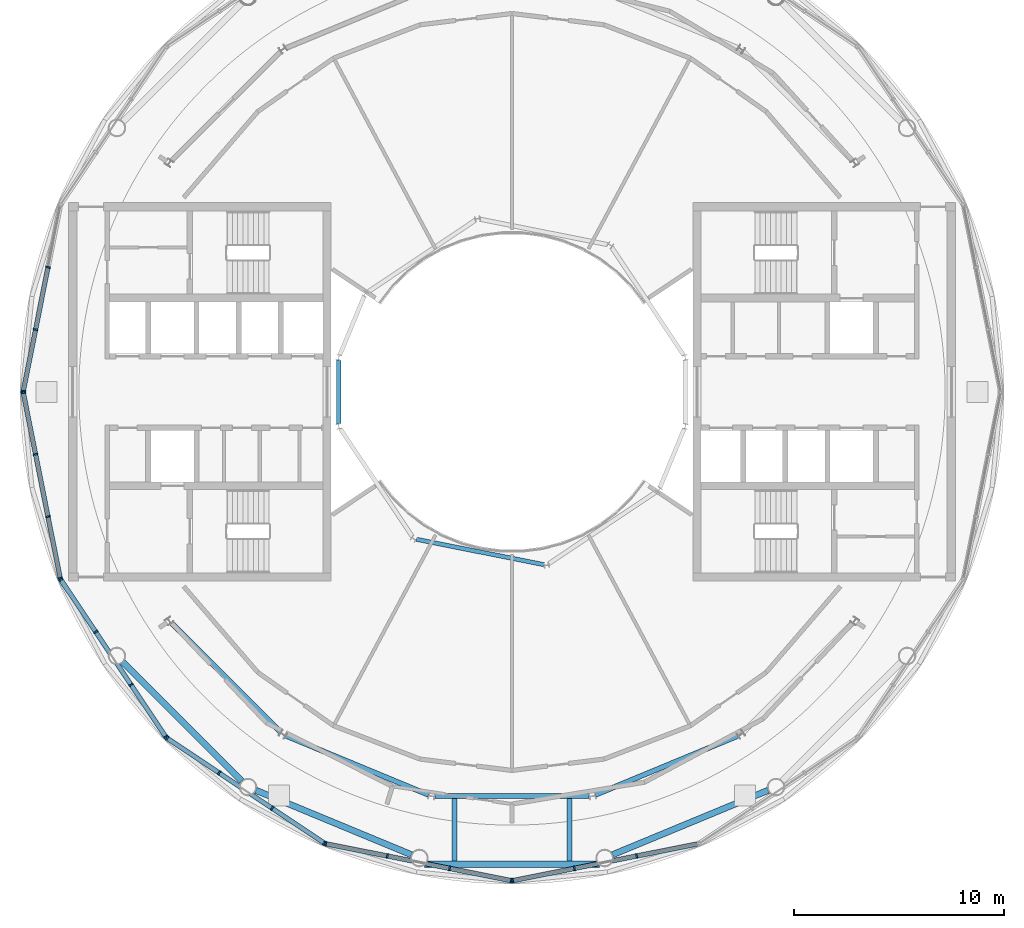
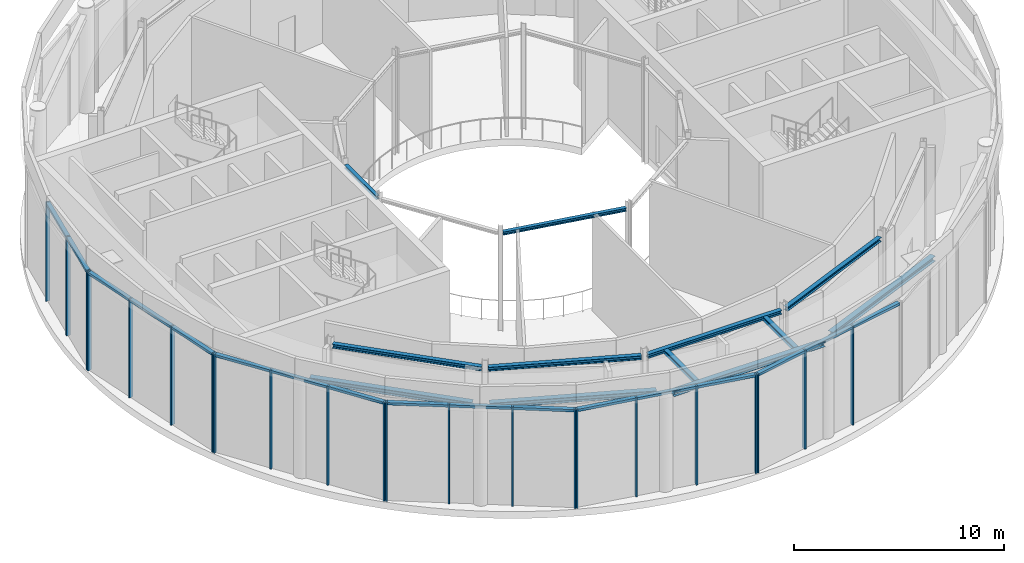
# One storey, part 5 of 20: 39 members, 12 beams, 6 elements without a shape of their own.
"""IFC4 building model written with IfcOpenShell, lengths in metres."""

from ifc_helpers import new_model, si_unit, direction, frame, origin, origin_2d, place, context, subcontext, project, spatial, rectangle, i_section, extrude, material, layer, layer_set, material_profile, profile_set, type_object, element, aggregate, save


model = new_model("IFC4")

# Units and contexts
model_context = context("Model", 3, precision=1e-05, world=origin(), true_north=direction((0.0, 1.0)))
body_context = subcontext(model_context, "Body", "Model", "MODEL_VIEW")
ifc_project = project(units=[si_unit("LENGTHUNIT", "METRE"), si_unit("AREAUNIT", "SQUARE_METRE"), si_unit("VOLUMEUNIT", "CUBIC_METRE"), si_unit("PLANEANGLEUNIT", "RADIAN"), si_unit("MASSUNIT", "GRAM", prefix="KILO")], contexts=[model_context])

# Site, building, storey
site_placement = place(None, origin())
site = spatial("IfcSite", under=ifc_project, at=site_placement, CompositionType="ELEMENT")
building_placement = place(site_placement, origin())
building = spatial("IfcBuilding", under=site, at=building_placement, Name="Maasbend Ring Residences", CompositionType="ELEMENT")
storey_placement = place(building_placement, frame((0.0, 0.0, 255.39990234375)))
storey = spatial("IfcBuildingStorey", under=building, at=storey_placement, Name="L74", CompositionType="ELEMENT", Elevation=255.39990234375)

# Curtain wall, members
ifc_material_1 = material(Name="Aluminium and clear glass", Category="aluminium")
ifc_layer = layer(ifc_material_1, 0.219970703125)
ifc_layer_set = layer_set([ifc_layer], Name="CW-OB")
curtain_wall_type = type_object("IfcCurtainWallType", Name="CW-OB", PredefinedType="NOTDEFINED", material=ifc_layer_set)
curtain_wall_1_placement = place(storey_placement, origin())
curtain_wall_1 = element("IfcCurtainWall", 1, at=curtain_wall_1_placement, inside=storey, type_object=curtain_wall_type, Name="Observation deck curtain wall 08", PredefinedType="NOTDEFINED")
ifc_material_2 = material(Name="Aluminium 6063-T6", Category="aluminium")
ifc_material_profile_1 = material_profile(ifc_material_2, rectangle(XDim=0.219970703125, YDim=0.080078125, at=origin_2d()), Name="AL 220x80")
ifc_profile_set_1 = profile_set([ifc_material_profile_1], Name="Aluminium 6063-T6")
member_type_1 = type_object("IfcMemberType", Name="CWM-OB", PredefinedType="MULLION", material=ifc_profile_set_1)
member_1_placement = place(storey_placement, frame((-22.070068359375, 5.931640625, 0.0), z_axis=(0.0, 0.0, 1.0), x_axis=(0.980785280403, -0.195090322016, 0.0)))
member_1 = element("IfcMember", 2, at=member_1_placement, type_object=member_type_1, Name="Mullion observation deck", PredefinedType="MULLION", context=body_context, shape_type="SweptSolid", body=[
    extrude(rectangle(XDim=0.219970703125, YDim=0.080078125, at=origin_2d()), origin(), (0.0, 0.0, 1.0), 5.75),
])
member_2_placement = place(storey_placement, frame((-22.66015625, 2.9658203125, 0.0), z_axis=(0.0, 0.0, 1.0), x_axis=(0.980785280403, -0.195090322016, 0.0)))
member_2 = element("IfcMember", 3, at=member_2_placement, type_object=member_type_1, Name="Mullion observation deck", PredefinedType="MULLION", context=body_context, shape_type="SweptSolid", body=[
    extrude(rectangle(XDim=0.219970703125, YDim=0.080078125, at=origin_2d()), origin(), (0.0, 0.0, 1.0), 5.75),
])
member_3_placement = place(storey_placement, frame((-23.2421875, 0.039306640625, 0.0), z_axis=(0.0, 0.0, 1.0), x_axis=(0.980785280403, -0.195090322016, 0.0)))
member_3 = element("IfcMember", 4, at=member_3_placement, type_object=member_type_1, Name="Mullion observation deck", PredefinedType="MULLION", context=body_context, shape_type="SweptSolid", body=[
    extrude(rectangle(XDim=0.219970703125, YDim=0.080078125, at=origin_2d()), origin(), (0.0, 0.0, 1.0), 5.75),
])

curtain_wall_2_placement = place(storey_placement, origin())
curtain_wall_2 = element("IfcCurtainWall", 5, at=curtain_wall_2_placement, inside=storey, type_object=curtain_wall_type, Name="Observation deck curtain wall 09", PredefinedType="NOTDEFINED")
member_4_placement = place(storey_placement, frame((-23.2421875, -0.039306640625, 0.0), z_axis=(0.0, 0.0, 1.0), x_axis=(0.980785280403, 0.195090322016, 0.0)))
member_4 = element("IfcMember", 6, at=member_4_placement, type_object=member_type_1, Name="Mullion observation deck", PredefinedType="MULLION", context=body_context, shape_type="SweptSolid", body=[
    extrude(rectangle(XDim=0.219970703125, YDim=0.080078125, at=origin_2d()), origin(), (0.0, 0.0, 1.0), 5.75),
])
member_5_placement = place(storey_placement, frame((-22.66015625, -2.9658203125, 0.0), z_axis=(0.0, 0.0, 1.0), x_axis=(0.980785280403, 0.195090322016, 0.0)))
member_5 = element("IfcMember", 7, at=member_5_placement, type_object=member_type_1, Name="Mullion observation deck", PredefinedType="MULLION", context=body_context, shape_type="SweptSolid", body=[
    extrude(rectangle(XDim=0.219970703125, YDim=0.080078125, at=origin_2d()), origin(), (0.0, 0.0, 1.0), 5.75),
])
member_6_placement = place(storey_placement, frame((-22.070068359375, -5.931640625, 0.0), z_axis=(0.0, 0.0, 1.0), x_axis=(0.980785280403, 0.195090322016, 0.0)))
member_6 = element("IfcMember", 8, at=member_6_placement, type_object=member_type_1, Name="Mullion observation deck", PredefinedType="MULLION", context=body_context, shape_type="SweptSolid", body=[
    extrude(rectangle(XDim=0.219970703125, YDim=0.080078125, at=origin_2d()), origin(), (0.0, 0.0, 1.0), 5.75),
])
member_7_placement = place(storey_placement, frame((-21.488037109375, -8.858154296875, 0.0), z_axis=(0.0, 0.0, 1.0), x_axis=(0.980785280403, 0.195090322016, 0.0)))
member_7 = element("IfcMember", 9, at=member_7_placement, type_object=member_type_1, Name="Mullion observation deck", PredefinedType="MULLION", context=body_context, shape_type="SweptSolid", body=[
    extrude(rectangle(XDim=0.219970703125, YDim=0.080078125, at=origin_2d()), origin(), (0.0, 0.0, 1.0), 5.75),
])

curtain_wall_3_placement = place(storey_placement, origin())
curtain_wall_3 = element("IfcCurtainWall", 10, at=curtain_wall_3_placement, inside=storey, type_object=curtain_wall_type, Name="Observation deck curtain wall 10", PredefinedType="NOTDEFINED")
member_8_placement = place(storey_placement, frame((-21.4580078125, -8.9306640625, 0.0), z_axis=(0.0, 0.0, 1.0), x_axis=(0.831469612303, 0.55557023302, 0.0)))
member_8 = element("IfcMember", 11, at=member_8_placement, type_object=member_type_1, Name="Mullion observation deck", PredefinedType="MULLION", context=body_context, shape_type="SweptSolid", body=[
    extrude(rectangle(XDim=0.219970703125, YDim=0.080078125, at=origin_2d()), origin(), (0.0, 0.0, 1.0), 5.75),
])
member_9_placement = place(storey_placement, frame((-19.80029296875, -11.41162109375, 0.0), z_axis=(0.0, 0.0, 1.0), x_axis=(0.831469612303, 0.55557023302, 0.0)))
member_9 = element("IfcMember", 12, at=member_9_placement, type_object=member_type_1, Name="Mullion observation deck", PredefinedType="MULLION", context=body_context, shape_type="SweptSolid", body=[
    extrude(rectangle(XDim=0.219970703125, YDim=0.080078125, at=origin_2d()), origin(), (0.0, 0.0, 1.0), 5.75),
])
member_10_placement = place(storey_placement, frame((-18.1201171875, -13.926025390625, 0.0), z_axis=(0.0, 0.0, 1.0), x_axis=(0.831469612303, 0.55557023302, 0.0)))
member_10 = element("IfcMember", 13, at=member_10_placement, type_object=member_type_1, Name="Mullion observation deck", PredefinedType="MULLION", context=body_context, shape_type="SweptSolid", body=[
    extrude(rectangle(XDim=0.219970703125, YDim=0.080078125, at=origin_2d()), origin(), (0.0, 0.0, 1.0), 5.75),
])
member_11_placement = place(storey_placement, frame((-16.46240234375, -16.406982421875, 0.0), z_axis=(0.0, 0.0, 1.0), x_axis=(0.831469612303, 0.55557023302, 0.0)))
member_11 = element("IfcMember", 14, at=member_11_placement, type_object=member_type_1, Name="Mullion observation deck", PredefinedType="MULLION", context=body_context, shape_type="SweptSolid", body=[
    extrude(rectangle(XDim=0.219970703125, YDim=0.080078125, at=origin_2d()), origin(), (0.0, 0.0, 1.0), 5.75),
])

curtain_wall_4_placement = place(storey_placement, origin())
curtain_wall_4 = element("IfcCurtainWall", 15, at=curtain_wall_4_placement, inside=storey, type_object=curtain_wall_type, Name="Observation deck curtain wall 11", PredefinedType="NOTDEFINED")
member_12_placement = place(storey_placement, frame((-16.406982421875, -16.46240234375, 0.0), z_axis=(0.0, 0.0, 1.0), x_axis=(0.55557023302, 0.831469612303, 0.0)))
member_12 = element("IfcMember", 16, at=member_12_placement, type_object=member_type_1, Name="Mullion observation deck", PredefinedType="MULLION", context=body_context, shape_type="SweptSolid", body=[
    extrude(rectangle(XDim=0.219970703125, YDim=0.080078125, at=origin_2d()), origin(), (0.0, 0.0, 1.0), 5.75),
])
member_13_placement = place(storey_placement, frame((-13.926025390625, -18.1201171875, 0.0), z_axis=(0.0, 0.0, 1.0), x_axis=(0.55557023302, 0.831469612303, 0.0)))
member_13 = element("IfcMember", 17, at=member_13_placement, type_object=member_type_1, Name="Mullion observation deck", PredefinedType="MULLION", context=body_context, shape_type="SweptSolid", body=[
    extrude(rectangle(XDim=0.219970703125, YDim=0.080078125, at=origin_2d()), origin(), (0.0, 0.0, 1.0), 5.75),
])
member_14_placement = place(storey_placement, frame((-11.41162109375, -19.80029296875, 0.0), z_axis=(0.0, 0.0, 1.0), x_axis=(0.55557023302, 0.831469612303, 0.0)))
member_14 = element("IfcMember", 18, at=member_14_placement, type_object=member_type_1, Name="Mullion observation deck", PredefinedType="MULLION", context=body_context, shape_type="SweptSolid", body=[
    extrude(rectangle(XDim=0.219970703125, YDim=0.080078125, at=origin_2d()), origin(), (0.0, 0.0, 1.0), 5.75),
])
member_15_placement = place(storey_placement, frame((-8.9306640625, -21.4580078125, 0.0), z_axis=(0.0, 0.0, 1.0), x_axis=(0.55557023302, 0.831469612303, 0.0)))
member_15 = element("IfcMember", 19, at=member_15_placement, type_object=member_type_1, Name="Mullion observation deck", PredefinedType="MULLION", context=body_context, shape_type="SweptSolid", body=[
    extrude(rectangle(XDim=0.219970703125, YDim=0.080078125, at=origin_2d()), origin(), (0.0, 0.0, 1.0), 5.75),
])

curtain_wall_5_placement = place(storey_placement, origin())
curtain_wall_5 = element("IfcCurtainWall", 20, at=curtain_wall_5_placement, inside=storey, type_object=curtain_wall_type, Name="Observation deck curtain wall 12", PredefinedType="NOTDEFINED")
member_16_placement = place(storey_placement, frame((-8.858154296875, -21.488037109375, 0.0), z_axis=(0.0, 0.0, 1.0), x_axis=(0.195090322016, 0.980785280403, 0.0)))
member_16 = element("IfcMember", 21, at=member_16_placement, type_object=member_type_1, Name="Mullion observation deck", PredefinedType="MULLION", context=body_context, shape_type="SweptSolid", body=[
    extrude(rectangle(XDim=0.219970703125, YDim=0.080078125, at=origin_2d()), origin(), (0.0, 0.0, 1.0), 5.75),
])
member_17_placement = place(storey_placement, frame((-5.931640625, -22.070068359375, 0.0), z_axis=(0.0, 0.0, 1.0), x_axis=(0.195090322016, 0.980785280403, 0.0)))
member_17 = element("IfcMember", 22, at=member_17_placement, type_object=member_type_1, Name="Mullion observation deck", PredefinedType="MULLION", context=body_context, shape_type="SweptSolid", body=[
    extrude(rectangle(XDim=0.219970703125, YDim=0.080078125, at=origin_2d()), origin(), (0.0, 0.0, 1.0), 5.75),
])
member_18_placement = place(storey_placement, frame((-2.9658203125, -22.66015625, 0.0), z_axis=(0.0, 0.0, 1.0), x_axis=(0.195090322016, 0.980785280403, 0.0)))
member_18 = element("IfcMember", 23, at=member_18_placement, type_object=member_type_1, Name="Mullion observation deck", PredefinedType="MULLION", context=body_context, shape_type="SweptSolid", body=[
    extrude(rectangle(XDim=0.219970703125, YDim=0.080078125, at=origin_2d()), origin(), (0.0, 0.0, 1.0), 5.75),
])
member_19_placement = place(storey_placement, frame((-0.039306640625, -23.2421875, 0.0), z_axis=(0.0, 0.0, 1.0), x_axis=(0.195090322016, 0.980785280403, 0.0)))
member_19 = element("IfcMember", 24, at=member_19_placement, type_object=member_type_1, Name="Mullion observation deck", PredefinedType="MULLION", context=body_context, shape_type="SweptSolid", body=[
    extrude(rectangle(XDim=0.219970703125, YDim=0.080078125, at=origin_2d()), origin(), (0.0, 0.0, 1.0), 5.75),
])

curtain_wall_6_placement = place(storey_placement, origin())
curtain_wall_6 = element("IfcCurtainWall", 25, at=curtain_wall_6_placement, inside=storey, type_object=curtain_wall_type, Name="Observation deck curtain wall 13", PredefinedType="NOTDEFINED")
member_20_placement = place(storey_placement, frame((0.039306640625, -23.2421875, 0.0), z_axis=(0.0, 0.0, 1.0), x_axis=(-0.195090322016, 0.980785280403, 0.0)))
member_20 = element("IfcMember", 26, at=member_20_placement, type_object=member_type_1, Name="Mullion observation deck", PredefinedType="MULLION", context=body_context, shape_type="SweptSolid", body=[
    extrude(rectangle(XDim=0.219970703125, YDim=0.080078125, at=origin_2d()), origin(), (0.0, 0.0, 1.0), 5.75),
])
member_21_placement = place(storey_placement, frame((2.9658203125, -22.66015625, 0.0), z_axis=(0.0, 0.0, 1.0), x_axis=(-0.195090322016, 0.980785280403, 0.0)))
member_21 = element("IfcMember", 27, at=member_21_placement, type_object=member_type_1, Name="Mullion observation deck", PredefinedType="MULLION", context=body_context, shape_type="SweptSolid", body=[
    extrude(rectangle(XDim=0.219970703125, YDim=0.080078125, at=origin_2d()), origin(), (0.0, 0.0, 1.0), 5.75),
])
member_22_placement = place(storey_placement, frame((5.931640625, -22.070068359375, 0.0), z_axis=(0.0, 0.0, 1.0), x_axis=(-0.195090322016, 0.980785280403, 0.0)))
member_22 = element("IfcMember", 28, at=member_22_placement, type_object=member_type_1, Name="Mullion observation deck", PredefinedType="MULLION", context=body_context, shape_type="SweptSolid", body=[
    extrude(rectangle(XDim=0.219970703125, YDim=0.080078125, at=origin_2d()), origin(), (0.0, 0.0, 1.0), 5.75),
])

# Member
ifc_material_3 = material(Name="Aluminium 6063-T6", Category="aluminium")
ifc_material_profile_2 = material_profile(ifc_material_3, rectangle(XDim=0.219970703125, YDim=0.139892578125, at=origin_2d()), Name="AL 220x140")
ifc_profile_set_2 = profile_set([ifc_material_profile_2], Name="Aluminium 6063-T6")
member_type_2 = type_object("IfcMemberType", Name="CWT-OB", PredefinedType="USERDEFINED", material=ifc_profile_set_2)
member_23_placement = place(storey_placement, frame((-22.077880859375, 5.892333984375, 5.68017578125), z_axis=(-0.195143161693, -0.980774768458, 0.0), x_axis=(0.980774768458, -0.195143161693, 0.0)))
member_23 = element("IfcMember", 29, at=member_23_placement, type_object=member_type_2, Name="Transom observation deck", ObjectType="TRANSOM", PredefinedType="USERDEFINED", context=body_context, shape_type="SweptSolid", body=[
    extrude(rectangle(XDim=0.219970703125, YDim=0.139892578125, at=origin_2d()), origin(), (0.0, 0.0, 1.0), 2.94384765625),
])

member_24_placement = place(storey_placement, frame((-22.66796875, 2.926513671875, 5.68017578125), z_axis=(-0.195048940926, -0.980793510706, 0.0), x_axis=(0.980793510706, -0.195048940926, 0.0)))
member_24 = element("IfcMember", 30, at=member_24_placement, type_object=member_type_2, Name="Transom observation deck", ObjectType="TRANSOM", PredefinedType="USERDEFINED", context=body_context, shape_type="SweptSolid", body=[
    extrude(rectangle(XDim=0.219970703125, YDim=0.139892578125, at=origin_2d()), origin(), (0.0, 0.0, 1.0), 2.90380859375),
])

aggregate(curtain_wall_1, [member_1, member_2, member_3, member_23, member_24])

member_25_placement = place(storey_placement, frame((-23.234375, -0.078369140625, 5.68017578125), z_axis=(0.195048940926, -0.980793510706, 0.0), x_axis=(0.980793510706, 0.195048940926, 0.0)))
member_25 = element("IfcMember", 31, at=member_25_placement, type_object=member_type_2, Name="Transom observation deck", ObjectType="TRANSOM", PredefinedType="USERDEFINED", context=body_context, shape_type="SweptSolid", body=[
    extrude(rectangle(XDim=0.219970703125, YDim=0.139892578125, at=origin_2d()), origin(), (0.0, 0.0, 1.0), 2.90380859375),
])

member_26_placement = place(storey_placement, frame((-22.65234375, -3.005126953125, 5.68017578125), z_axis=(0.195143161693, -0.980774768458, 0.0), x_axis=(0.980774768458, 0.195143161693, 0.0)))
member_26 = element("IfcMember", 32, at=member_26_placement, type_object=member_type_2, Name="Transom observation deck", ObjectType="TRANSOM", PredefinedType="USERDEFINED", context=body_context, shape_type="SweptSolid", body=[
    extrude(rectangle(XDim=0.219970703125, YDim=0.139892578125, at=origin_2d()), origin(), (0.0, 0.0, 1.0), 2.94384765625),
])

member_27_placement = place(storey_placement, frame((-22.062255859375, -5.970703125, 5.68017578125), z_axis=(0.195048940926, -0.980793510706, 0.0), x_axis=(0.980793510706, 0.195048940926, 0.0)))
member_27 = element("IfcMember", 33, at=member_27_placement, type_object=member_type_2, Name="Transom observation deck", ObjectType="TRANSOM", PredefinedType="USERDEFINED", context=body_context, shape_type="SweptSolid", body=[
    extrude(rectangle(XDim=0.219970703125, YDim=0.139892578125, at=origin_2d()), origin(), (0.0, 0.0, 1.0), 2.90380859375),
])

aggregate(curtain_wall_2, [member_4, member_5, member_6, member_7, member_25, member_26, member_27])

member_28_placement = place(storey_placement, frame((-21.435791015625, -8.9638671875, 5.68017578125), z_axis=(0.555553567332, -0.831480747717, 0.0), x_axis=(0.831480747717, 0.555553567332, 0.0)))
member_28 = element("IfcMember", 34, at=member_28_placement, type_object=member_type_2, Name="Transom observation deck", ObjectType="TRANSOM", PredefinedType="USERDEFINED", context=body_context, shape_type="SweptSolid", body=[
    extrude(rectangle(XDim=0.219970703125, YDim=0.139892578125, at=origin_2d()), origin(), (0.0, 0.0, 1.0), 2.90380859375),
])

member_29_placement = place(storey_placement, frame((-19.778076171875, -11.44482421875, 5.68017578125), z_axis=(0.555618446659, -0.831437394956, 0.0), x_axis=(0.831437394956, 0.555618446659, 0.0)))
member_29 = element("IfcMember", 35, at=member_29_placement, type_object=member_type_2, Name="Transom observation deck", ObjectType="TRANSOM", PredefinedType="USERDEFINED", context=body_context, shape_type="SweptSolid", body=[
    extrude(rectangle(XDim=0.219970703125, YDim=0.139892578125, at=origin_2d()), origin(), (0.0, 0.0, 1.0), 2.944091796875),
])

member_30_placement = place(storey_placement, frame((-18.097900390625, -13.959228515625, 5.68017578125), z_axis=(0.555553567332, -0.831480747717, 0.0), x_axis=(0.831480747717, 0.555553567332, 0.0)))
member_30 = element("IfcMember", 36, at=member_30_placement, type_object=member_type_2, Name="Transom observation deck", ObjectType="TRANSOM", PredefinedType="USERDEFINED", context=body_context, shape_type="SweptSolid", body=[
    extrude(rectangle(XDim=0.219970703125, YDim=0.139892578125, at=origin_2d()), origin(), (0.0, 0.0, 1.0), 2.90380859375),
])

aggregate(curtain_wall_3, [member_8, member_9, member_10, member_11, member_28, member_29, member_30])

member_31_placement = place(storey_placement, frame((-16.373779296875, -16.484619140625, 5.68017578125), z_axis=(0.831480747717, -0.555553567332, 0.0), x_axis=(0.555553567332, 0.831480747717, 0.0)))
member_31 = element("IfcMember", 37, at=member_31_placement, type_object=member_type_2, Name="Transom observation deck", ObjectType="TRANSOM", PredefinedType="USERDEFINED", context=body_context, shape_type="SweptSolid", body=[
    extrude(rectangle(XDim=0.219970703125, YDim=0.139892578125, at=origin_2d()), origin(), (0.0, 0.0, 1.0), 2.90380859375),
])

member_32_placement = place(storey_placement, frame((-13.892578125, -18.142333984375, 5.68017578125), z_axis=(0.831437394956, -0.555618446659, 0.0), x_axis=(0.555618446659, 0.831437394956, 0.0)))
member_32 = element("IfcMember", 38, at=member_32_placement, type_object=member_type_2, Name="Transom observation deck", ObjectType="TRANSOM", PredefinedType="USERDEFINED", context=body_context, shape_type="SweptSolid", body=[
    extrude(rectangle(XDim=0.219970703125, YDim=0.139892578125, at=origin_2d()), origin(), (0.0, 0.0, 1.0), 2.944091796875),
])

member_33_placement = place(storey_placement, frame((-11.37841796875, -19.822509765625, 5.68017578125), z_axis=(0.831480747717, -0.555553567332, 0.0), x_axis=(0.555553567332, 0.831480747717, 0.0)))
member_33 = element("IfcMember", 39, at=member_33_placement, type_object=member_type_2, Name="Transom observation deck", ObjectType="TRANSOM", PredefinedType="USERDEFINED", context=body_context, shape_type="SweptSolid", body=[
    extrude(rectangle(XDim=0.219970703125, YDim=0.139892578125, at=origin_2d()), origin(), (0.0, 0.0, 1.0), 2.90380859375),
])

aggregate(curtain_wall_4, [member_12, member_13, member_14, member_15, member_31, member_32, member_33])

member_34_placement = place(storey_placement, frame((-8.81884765625, -21.495849609375, 5.68017578125), z_axis=(0.980793510706, -0.195048940926, 0.0), x_axis=(0.195048940926, 0.980793510706, 0.0)))
member_34 = element("IfcMember", 40, at=member_34_placement, type_object=member_type_2, Name="Transom observation deck", ObjectType="TRANSOM", PredefinedType="USERDEFINED", context=body_context, shape_type="SweptSolid", body=[
    extrude(rectangle(XDim=0.219970703125, YDim=0.139892578125, at=origin_2d()), origin(), (0.0, 0.0, 1.0), 2.90380859375),
])

member_35_placement = place(storey_placement, frame((-5.892333984375, -22.077880859375, 5.68017578125), z_axis=(0.980774768458, -0.195143161693, 0.0), x_axis=(0.195143161693, 0.980774768458, 0.0)))
member_35 = element("IfcMember", 41, at=member_35_placement, type_object=member_type_2, Name="Transom observation deck", ObjectType="TRANSOM", PredefinedType="USERDEFINED", context=body_context, shape_type="SweptSolid", body=[
    extrude(rectangle(XDim=0.219970703125, YDim=0.139892578125, at=origin_2d()), origin(), (0.0, 0.0, 1.0), 2.94384765625),
])

member_36_placement = place(storey_placement, frame((-2.926513671875, -22.66796875, 5.68017578125), z_axis=(0.980793510706, -0.195048940926, 0.0), x_axis=(0.195048940926, 0.980793510706, 0.0)))
member_36 = element("IfcMember", 42, at=member_36_placement, type_object=member_type_2, Name="Transom observation deck", ObjectType="TRANSOM", PredefinedType="USERDEFINED", context=body_context, shape_type="SweptSolid", body=[
    extrude(rectangle(XDim=0.219970703125, YDim=0.139892578125, at=origin_2d()), origin(), (0.0, 0.0, 1.0), 2.90380859375),
])

aggregate(curtain_wall_5, [member_16, member_17, member_18, member_19, member_34, member_35, member_36])

member_37_placement = place(storey_placement, frame((0.078369140625, -23.234375, 5.68017578125), z_axis=(0.980793510706, 0.195048940926, 0.0), x_axis=(-0.195048940926, 0.980793510706, 0.0)))
member_37 = element("IfcMember", 43, at=member_37_placement, type_object=member_type_2, Name="Transom observation deck", ObjectType="TRANSOM", PredefinedType="USERDEFINED", context=body_context, shape_type="SweptSolid", body=[
    extrude(rectangle(XDim=0.219970703125, YDim=0.139892578125, at=origin_2d()), origin(), (0.0, 0.0, 1.0), 2.90380859375),
])

member_38_placement = place(storey_placement, frame((3.005126953125, -22.65234375, 5.68017578125), z_axis=(0.980774768458, 0.195143161693, 0.0), x_axis=(-0.195143161693, 0.980774768458, 0.0)))
member_38 = element("IfcMember", 44, at=member_38_placement, type_object=member_type_2, Name="Transom observation deck", ObjectType="TRANSOM", PredefinedType="USERDEFINED", context=body_context, shape_type="SweptSolid", body=[
    extrude(rectangle(XDim=0.219970703125, YDim=0.139892578125, at=origin_2d()), origin(), (0.0, 0.0, 1.0), 2.94384765625),
])

member_39_placement = place(storey_placement, frame((5.970703125, -22.062255859375, 5.68017578125), z_axis=(0.980793510706, 0.195048940926, 0.0), x_axis=(-0.195048940926, 0.980793510706, 0.0)))
member_39 = element("IfcMember", 45, at=member_39_placement, type_object=member_type_2, Name="Transom observation deck", ObjectType="TRANSOM", PredefinedType="USERDEFINED", context=body_context, shape_type="SweptSolid", body=[
    extrude(rectangle(XDim=0.219970703125, YDim=0.139892578125, at=origin_2d()), origin(), (0.0, 0.0, 1.0), 2.90380859375),
])

aggregate(curtain_wall_6, [member_20, member_21, member_22, member_37, member_38, member_39])

# Beams
ifc_material_4 = material(Name="Steel S355J2", Category="steel")
ifc_material_profile_3 = material_profile(ifc_material_4, i_section(OverallWidth=0.239990234375, OverallDepth=0.22998046875, WebThickness=0.007568359375, FlangeThickness=0.011962890625, FilletRadius=0.02099609375, at=origin_2d()), Name="HEA 240")
ifc_profile_set_3 = profile_set([ifc_material_profile_3], Name="Steel S355J2")
beam_type_1 = type_object("IfcBeamType", Name="Corridor ring beam HEA 240", PredefinedType="BEAM", material=ifc_profile_set_3)
beam_1_placement = place(storey_placement, frame((-16.188720703125, -10.997314453125, 5.635009765625), z_axis=(0.707106781187, -0.707106781187, 0.0), x_axis=(0.707106781187, 0.707106781187, 0.0)))
element("IfcBeam", 46, at=beam_1_placement, inside=storey, type_object=beam_type_1, Name="Corridor ring beam", PredefinedType="BEAM", context=body_context, shape_type="SweptSolid", body=[
    extrude(i_section(OverallWidth=0.239990234375, OverallDepth=0.22998046875, WebThickness=0.007568359375, FlangeThickness=0.011962890625, FilletRadius=0.02099609375, at=origin_2d()), origin(), (0.0, 0.0, 1.0), 7.341796875),
])
beam_2_placement = place(storey_placement, frame((-10.747802734375, -16.355224609375, 5.635009765625), z_axis=(0.923875784142, -0.382692481603, 0.0), x_axis=(0.382692481603, 0.923875784142, 0.0)))
element("IfcBeam", 47, at=beam_2_placement, inside=storey, type_object=beam_type_1, Name="Corridor ring beam", PredefinedType="BEAM", context=body_context, shape_type="SweptSolid", body=[
    extrude(i_section(OverallWidth=0.239990234375, OverallDepth=0.22998046875, WebThickness=0.007568359375, FlangeThickness=0.011962890625, FilletRadius=0.02099609375, at=origin_2d()), origin(), (0.0, 0.0, 1.0), 7.341552734375),
])
beam_3_placement = place(storey_placement, frame((-3.6708984375, -19.223388671875, 5.635009765625), z_axis=(1.0, 0.0, 0.0), x_axis=(0.0, 1.0, 0.0)))
element("IfcBeam", 48, at=beam_3_placement, inside=storey, type_object=beam_type_1, Name="Corridor ring beam", PredefinedType="BEAM", context=body_context, shape_type="SweptSolid", body=[
    extrude(i_section(OverallWidth=0.239990234375, OverallDepth=0.22998046875, WebThickness=0.007568359375, FlangeThickness=0.011962890625, FilletRadius=0.02099609375, at=origin_2d()), origin(), (0.0, 0.0, 1.0), 7.341796875),
])
beam_4_placement = place(storey_placement, frame((3.965087890625, -19.164794921875, 5.635009765625), z_axis=(0.923875784142, 0.382692481603, 0.0), x_axis=(-0.382692481603, 0.923875784142, 0.0)))
element("IfcBeam", 49, at=beam_4_placement, inside=storey, type_object=beam_type_1, Name="Corridor ring beam", PredefinedType="BEAM", context=body_context, shape_type="SweptSolid", body=[
    extrude(i_section(OverallWidth=0.239990234375, OverallDepth=0.22998046875, WebThickness=0.007568359375, FlangeThickness=0.011962890625, FilletRadius=0.02099609375, at=origin_2d()), origin(), (0.0, 0.0, 1.0), 7.341552734375),
])
ifc_material_5 = material(Name="Steel S355J2", Category="steel")
ifc_material_profile_4 = material_profile(ifc_material_5, i_section(OverallWidth=0.239990234375, OverallDepth=0.22998046875, WebThickness=0.007568359375, FlangeThickness=0.011962890625, FilletRadius=0.02099609375, at=origin_2d()), Name="HEA 240")
ifc_profile_set_4 = profile_set([ifc_material_profile_4], Name="Steel S355J2")
beam_type_2 = type_object("IfcBeamType", Name="Crown ring beam HEA 240", PredefinedType="BEAM", material=ifc_profile_set_4)
for number, where, z_axis, x_axis, name in (
    (50, (-2.72412109375, -19.343505859375, 5.635009765625), (0.0, -1.0, 0.0), (1.0, 0.0, 0.0), "Crown rib seat beam"),
    (51, (2.72412109375, -19.343505859375, 5.635009765625), (0.0, -1.0, 0.0), (1.0, 0.0, 0.0), "Crown rib seat beam"),
):
    element("IfcBeam", number, at=place(storey_placement, frame(where, z_axis=z_axis, x_axis=x_axis)), inside=storey, type_object=beam_type_2, Name=name, PredefinedType="BEAM", context=body_context, shape_type="SweptSolid", body=[
        extrude(i_section(OverallWidth=0.239990234375, OverallDepth=0.22998046875, WebThickness=0.007568359375, FlangeThickness=0.011962890625, FilletRadius=0.02099609375, at=origin_2d()), origin(), (0.0, 0.0, 1.0), 2.97216796875),
    ])
ifc_material_6 = material(Name="Steel S355J2", Category="steel")
ifc_material_profile_5 = material_profile(ifc_material_6, i_section(OverallWidth=0.300048828125, OverallDepth=0.300048828125, WebThickness=0.010986328125, FlangeThickness=0.01904296875, FilletRadius=0.027099609375, at=origin_2d()), Name="HEB 300")
ifc_profile_set_5 = profile_set([ifc_material_profile_5], Name="Steel S355J2")
beam_type_3 = type_object("IfcBeamType", Name="Spandrel ring beam HEB 300", PredefinedType="SPANDREL", material=ifc_profile_set_5)
beam_5_placement = place(storey_placement, frame((-18.50390625, -12.84326171875, 5.60009765625), z_axis=(0.707106781187, -0.707106781187, 0.0), x_axis=(0.707106781187, 0.707106781187, 0.0)))
element("IfcBeam", 52, at=beam_5_placement, inside=storey, type_object=beam_type_3, Name="Spandrel ring beam", PredefinedType="SPANDREL", context=body_context, shape_type="SweptSolid", body=[
    extrude(i_section(OverallWidth=0.300048828125, OverallDepth=0.300048828125, WebThickness=0.010986328125, FlangeThickness=0.01904296875, FilletRadius=0.027099609375, at=origin_2d()), origin(), (0.0, 0.0, 1.0), 8.00537109375),
])
beam_6_placement = place(storey_placement, frame((-12.180419921875, -18.94677734375, 5.60009765625), z_axis=(0.923887850638, -0.382663350013, 0.0), x_axis=(0.382663350013, 0.923887850638, 0.0)))
element("IfcBeam", 53, at=beam_6_placement, inside=storey, type_object=beam_type_3, Name="Spandrel ring beam", PredefinedType="SPANDREL", context=body_context, shape_type="SweptSolid", body=[
    extrude(i_section(OverallWidth=0.300048828125, OverallDepth=0.300048828125, WebThickness=0.010986328125, FlangeThickness=0.01904296875, FilletRadius=0.027099609375, at=origin_2d()), origin(), (0.0, 0.0, 1.0), 8.005126953125),
])
beam_7_placement = place(storey_placement, frame((-4.152587890625, -22.4658203125, 5.60009765625), z_axis=(1.0, 0.0, 0.0), x_axis=(0.0, 1.0, 0.0)))
element("IfcBeam", 54, at=beam_7_placement, inside=storey, type_object=beam_type_3, Name="Spandrel ring beam", PredefinedType="SPANDREL", context=body_context, shape_type="SweptSolid", body=[
    extrude(i_section(OverallWidth=0.300048828125, OverallDepth=0.300048828125, WebThickness=0.010986328125, FlangeThickness=0.01904296875, FilletRadius=0.027099609375, at=origin_2d()), origin(), (0.0, 0.0, 1.0), 8.30517578125),
])
beam_8_placement = place(storey_placement, frame((4.78466796875, -22.010009765625, 5.60009765625), z_axis=(0.923887850638, 0.382663350013, 0.0), x_axis=(-0.382663350013, 0.923887850638, 0.0)))
element("IfcBeam", 55, at=beam_8_placement, inside=storey, type_object=beam_type_3, Name="Spandrel ring beam", PredefinedType="SPANDREL", context=body_context, shape_type="SweptSolid", body=[
    extrude(i_section(OverallWidth=0.300048828125, OverallDepth=0.300048828125, WebThickness=0.010986328125, FlangeThickness=0.01904296875, FilletRadius=0.027099609375, at=origin_2d()), origin(), (0.0, 0.0, 1.0), 8.005126953125),
])
ifc_material_7 = material(Name="Steel S355J2", Category="steel")
ifc_material_profile_6 = material_profile(ifc_material_7, i_section(OverallWidth=0.199951171875, OverallDepth=0.18994140625, WebThickness=0.006591796875, FlangeThickness=0.010009765625, FilletRadius=0.01806640625, at=origin_2d()), Name="HEA 200")
ifc_profile_set_6 = profile_set([ifc_material_profile_6], Name="Steel S355J2")
beam_type_4 = type_object("IfcBeamType", Name="Well edge beam HEA 200", PredefinedType="BEAM", material=ifc_profile_set_6)
beam_9_placement = place(storey_placement, frame((-8.238525390625, 1.521484375, 5.655029296875), z_axis=(0.0, -1.0, 0.0), x_axis=(1.0, 0.0, 0.0)))
element("IfcBeam", 56, at=beam_9_placement, inside=storey, type_object=beam_type_4, Name="Well edge beam", PredefinedType="BEAM", context=body_context, shape_type="SweptSolid", body=[
    extrude(i_section(OverallWidth=0.199951171875, OverallDepth=0.18994140625, WebThickness=0.006591796875, FlangeThickness=0.010009765625, FilletRadius=0.01806640625, at=origin_2d()), origin(), (0.0, 0.0, 1.0), 3.04296875),
])
beam_10_placement = place(storey_placement, frame((-4.544677734375, -7.008544921875, 5.655029296875), z_axis=(0.98078072474, -0.195113223486, 0.0), x_axis=(0.195113223486, 0.98078072474, 0.0)))
element("IfcBeam", 57, at=beam_10_placement, inside=storey, type_object=beam_type_4, Name="Well edge beam", PredefinedType="BEAM", context=body_context, shape_type="SweptSolid", body=[
    extrude(i_section(OverallWidth=0.199951171875, OverallDepth=0.18994140625, WebThickness=0.006591796875, FlangeThickness=0.010009765625, FilletRadius=0.01806640625, at=origin_2d()), origin(), (0.0, 0.0, 1.0), 6.18017578125),
])

save(model, "model.ifc")
